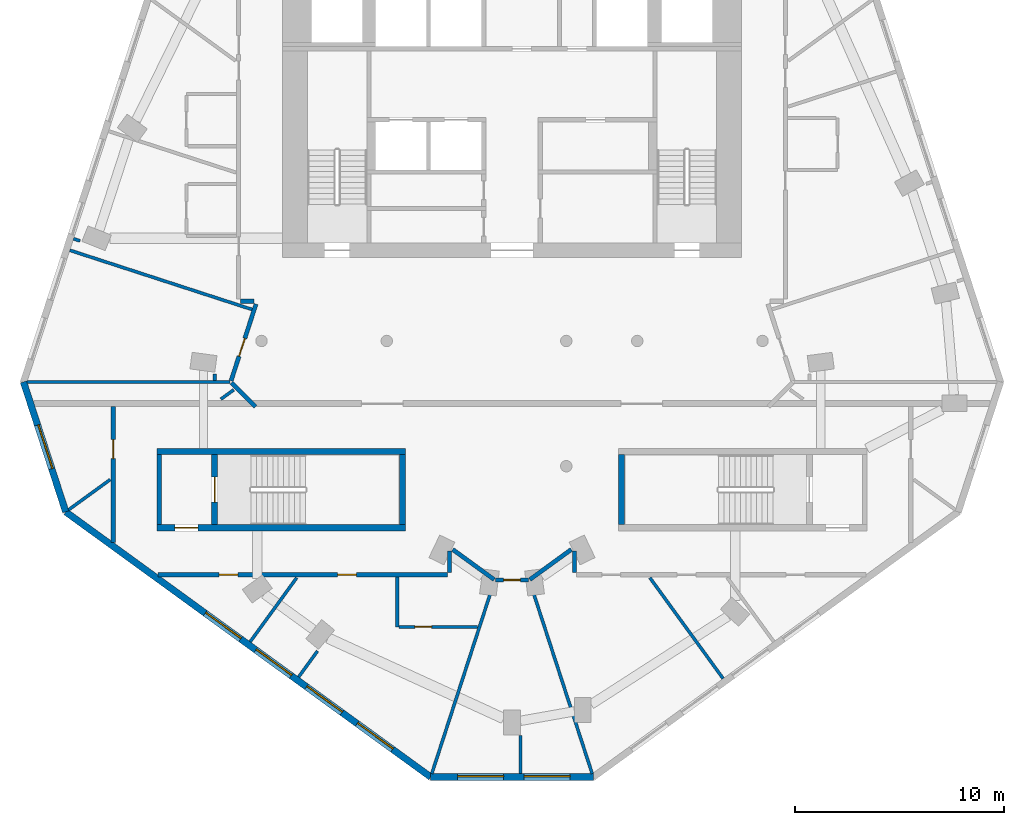
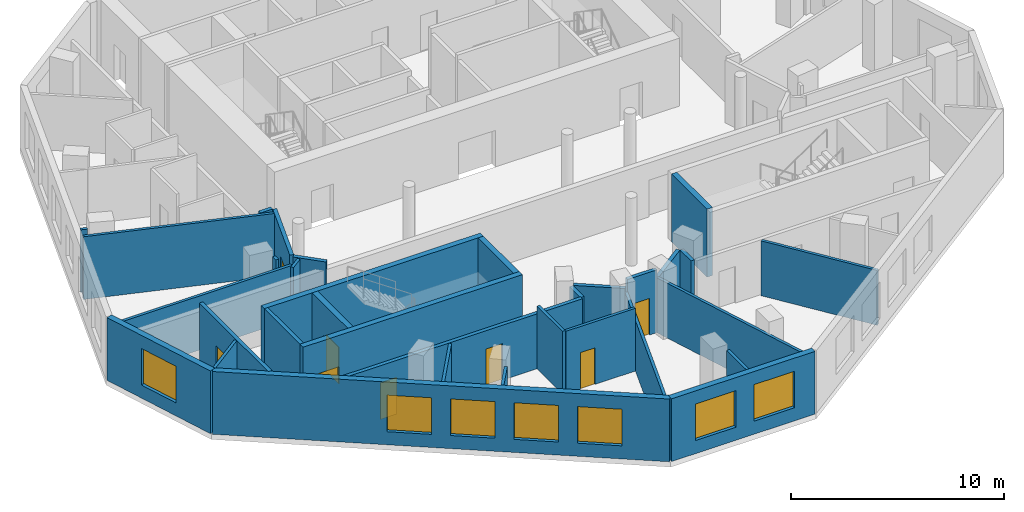
# One storey, part 2 of 8: 33 walls, 8 doors, 7 windows, 15 openings.
"""IFC4 building model written with IfcOpenShell, lengths in metres."""

from ifc_helpers import new_model, si_unit, direction, frame, frame_2d, origin, place, context, subcontext, project, spatial, rectangle, extrude, material, layer, layer_set, type_object, element, fill, save


model = new_model("IFC4")

# Units and contexts
model_context = context("Model", 3, precision=1e-05, world=origin(), true_north=direction((0.0, 1.0)))
body_context = subcontext(model_context, "Body", "Model", "MODEL_VIEW")
ifc_project = project(units=[si_unit("LENGTHUNIT", "METRE"), si_unit("AREAUNIT", "SQUARE_METRE"), si_unit("VOLUMEUNIT", "CUBIC_METRE"), si_unit("PLANEANGLEUNIT", "RADIAN"), si_unit("MASSUNIT", "GRAM", prefix="KILO")], contexts=[model_context])

# Site, building, storey
site_placement = place(None, origin())
site = spatial("IfcSite", under=ifc_project, at=site_placement, CompositionType="ELEMENT")
building_placement = place(site_placement, origin())
building = spatial("IfcBuilding", under=site, at=building_placement, Name="White Candle Pilgrim Tower", CompositionType="ELEMENT")
storey_placement = place(building_placement, frame((0.0, 0.0, 267.800048828125)))
storey = spatial("IfcBuildingStorey", under=building, at=storey_placement, Name="L63", CompositionType="ELEMENT", Elevation=267.800048828125)

# Wall
ifc_material_1 = material(Name="Concrete C50/60", Category="concrete")
ifc_layer_1 = layer(ifc_material_1, 0.199951171875)
ifc_layer_set_1 = layer_set([ifc_layer_1], Name="Core wall 200 mm Concrete C50/60")
wall_type_1 = type_object("IfcWallType", Name="Core wall 200 mm Concrete C50/60", PredefinedType="SHEAR", material=ifc_layer_set_1)
wall_1_placement = place(storey_placement, frame((53.10009765625, 58.199951171875, 0.0), z_axis=(0.0, 0.0, 1.0), x_axis=(0.0, 1.0, 0.0)))
element("IfcWall", 1, at=wall_1_placement, inside=storey, type_object=wall_type_1, Name="WL-L63-C03", PredefinedType="SHEAR", context=body_context, shape_type="SweptSolid", body=[
    extrude(rectangle(XDim=3.35009765625, YDim=0.199951171875, at=frame_2d((1.675048828125, 0.0))), origin(), (0.0, 0.0, 1.0), 3.89990234375),
])

# Wall, opening, door
ifc_material_2 = material(Name="Gypsum board on steel studs", Category="steel")
ifc_layer_2 = layer(ifc_material_2, 0.199951171875)
ifc_layer_set_2 = layer_set([ifc_layer_2], Name="Corridor wall 200 mm EI 45")
wall_type_2 = type_object("IfcWallType", Name="Corridor wall 200 mm EI 45", PredefinedType="PARTITIONING", material=ifc_layer_set_2)
wall_2_placement = place(storey_placement, frame((50.89990234375, 57.3544921875, 0.0), z_axis=(0.0, 0.0, 1.0), x_axis=(0.0, 1.0, 0.0)))
wall_2 = element("IfcWall", 2, at=wall_2_placement, inside=storey, type_object=wall_type_2, Name="WL-L63-P002", PredefinedType="PARTITIONING", context=body_context, shape_type="SweptSolid", body=[
    extrude(rectangle(XDim=6.49560546875, YDim=0.199951171875, at=frame_2d((3.247802734375, 0.0))), origin(), (0.0, 0.0, 1.0), 3.599853515625),
])
opening_1_placement = place(wall_2_placement, frame((4.0146484375, 0.0, 0.0)))
opening_1 = element("IfcOpeningElement", 3, at=opening_1_placement, cuts=wall_2, Name="Opening T19-113", PredefinedType="OPENING", context=body_context, shape_type="SweptSolid", body=[
    extrude(rectangle(XDim=0.89990234375, YDim=2.10009765625, at=frame_2d((0.449951171875, 1.050048828125))), frame((0.0, 0.10986328125, 0.0), z_axis=(0.0, -1.0, 0.0), x_axis=(1.0, 0.0, 0.0)), (0.0, 0.0, 1.0), 0.219970703125),
])
ifc_material_3 = material(Name="Steel door leaf", Category="steel")
door_type_1 = type_object("IfcDoorType", Name="Fire door 900 x 2100 EI 30", OperationType="NOTDEFINED", PredefinedType="DOOR", material=ifc_material_3)
door_1_placement = place(opening_1_placement, origin())
door_1 = element("IfcDoor", 4, at=door_1_placement, inside=storey, type_object=door_type_1, Name="Door T19-113", OperationType="SINGLE_SWING_LEFT", OverallHeight=2.10009765625, OverallWidth=0.89990234375, PredefinedType="DOOR", context=body_context, shape_type="SweptSolid", body=[
    extrude(rectangle(XDim=0.89990234375, YDim=2.10009765625, at=frame_2d((0.449951171875, 1.050048828125))), frame((0.0, 0.02490234375, 0.0), z_axis=(0.0, -1.0, 0.0), x_axis=(1.0, 0.0, 0.0)), (0.0, 0.0, 1.0), 0.050048828125),
])
fill(opening_1, door_1)

# Wall
wall_3_placement = place(storey_placement, frame((57.7099609375, 63.85009765625, 0.0), z_axis=(0.0, 0.0, 1.0), x_axis=(-0.70635124515, 0.707861510802, 0.0)))
element("IfcWall", 5, at=wall_3_placement, inside=storey, type_object=wall_type_2, Name="WL-L63-P003", PredefinedType="PARTITIONING", context=body_context, shape_type="SweptSolid", body=[
    extrude(rectangle(XDim=1.616455078125, YDim=0.199951171875, at=frame_2d((0.80810546875, 0.0))), origin(), (0.0, 0.0, 1.0), 3.599853515625),
])

# Wall, opening, door
wall_4_placement = place(storey_placement, frame((56.543701171875, 65.095947265625, 0.0), z_axis=(0.0, 0.0, 1.0), x_axis=(0.309050338142, 0.951045681602, 0.0)))
wall_4 = element("IfcWall", 6, at=wall_4_placement, inside=storey, type_object=wall_type_2, Name="WL-L63-P004", PredefinedType="PARTITIONING", context=body_context, shape_type="SweptSolid", body=[
    extrude(rectangle(XDim=3.862060546875, YDim=0.199951171875, at=frame_2d((1.93115234375, 0.0))), origin(), (0.0, 0.0, 1.0), 3.599853515625),
])
opening_2_placement = place(wall_4_placement, frame((1.231201171875, 0.0, 0.0)))
opening_2 = element("IfcOpeningElement", 7, at=opening_2_placement, cuts=wall_4, Name="Opening T19-114", PredefinedType="OPENING", context=body_context, shape_type="SweptSolid", body=[
    extrude(rectangle(XDim=0.89990234375, YDim=2.10009765625, at=frame_2d((0.449951171875, 1.050048828125))), frame((0.0, 0.10986328125, 0.0), z_axis=(0.0, -1.0, 0.0), x_axis=(1.0, 0.0, 0.0)), (0.0, 0.0, 1.0), 0.219970703125),
])
door_2_placement = place(opening_2_placement, origin())
door_2 = element("IfcDoor", 8, at=door_2_placement, inside=storey, type_object=door_type_1, Name="Door T19-114", OperationType="SINGLE_SWING_RIGHT", OverallHeight=2.10009765625, OverallWidth=0.89990234375, PredefinedType="DOOR", context=body_context, shape_type="SweptSolid", body=[
    extrude(rectangle(XDim=0.89990234375, YDim=2.10009765625, at=frame_2d((0.449951171875, 1.050048828125))), frame((0.0, 0.02490234375, 0.0), z_axis=(0.0, -1.0, 0.0), x_axis=(1.0, 0.0, 0.0)), (0.0, 0.0, 1.0), 0.050048828125),
])
fill(opening_2, door_2)

# Walls
wall_5_placement = place(storey_placement, frame((57.64208984375, 68.89990234375, 0.0), z_axis=(0.0, 0.0, 1.0), x_axis=(-1.0, 0.0, 0.0)))
element("IfcWall", 9, at=wall_5_placement, inside=storey, type_object=wall_type_2, Name="WL-L63-P005", PredefinedType="PARTITIONING", context=body_context, shape_type="SweptSolid", body=[
    extrude(rectangle(XDim=0.64208984375, YDim=0.199951171875, at=frame_2d((0.321044921875, 0.0))), origin(), (0.0, 0.0, 1.0), 3.599853515625),
])
wall_6_placement = place(storey_placement, frame((73.0, 55.89990234375, 0.0), z_axis=(0.0, 0.0, 1.0), x_axis=(0.0, 1.0, 0.0)))
element("IfcWall", 10, at=wall_6_placement, inside=storey, type_object=wall_type_2, Name="WL-L63-P013", PredefinedType="PARTITIONING", context=body_context, shape_type="SweptSolid", body=[
    extrude(rectangle(XDim=1.03173828125, YDim=0.199951171875, at=frame_2d((0.515869140625, 0.0))), origin(), (0.0, 0.0, 1.0), 3.099853515625),
])
wall_7_placement = place(storey_placement, frame((72.84130859375, 57.012451171875, 0.0), z_axis=(0.0, 0.0, 1.0), x_axis=(-0.809028134854, -0.587769918433, 0.0)))
element("IfcWall", 11, at=wall_7_placement, inside=storey, type_object=wall_type_2, Name="WL-L63-P014", PredefinedType="PARTITIONING", context=body_context, shape_type="SweptSolid", body=[
    extrude(rectangle(XDim=2.457275390625, YDim=0.199951171875, at=frame_2d((1.228515625, 0.0))), origin(), (0.0, 0.0, 1.0), 3.099853515625),
])

# Wall, opening, door
wall_8_placement = place(storey_placement, frame((70.79443359375, 55.549072265625, 0.0), z_axis=(0.0, 0.0, 1.0), x_axis=(-1.0, 0.0, 0.0)))
wall_8 = element("IfcWall", 12, at=wall_8_placement, inside=storey, type_object=wall_type_2, Name="WL-L63-P015", PredefinedType="PARTITIONING", context=body_context, shape_type="SweptSolid", body=[
    extrude(rectangle(XDim=1.5888671875, YDim=0.199951171875, at=frame_2d((0.79443359375, 0.0))), origin(), (0.0, 0.0, 1.0), 3.599853515625),
])
opening_3_placement = place(wall_8_placement, frame((0.394287109375, 0.0, 0.0)))
opening_3 = element("IfcOpeningElement", 13, at=opening_3_placement, cuts=wall_8, Name="Opening T19-106", PredefinedType="OPENING", context=body_context, shape_type="SweptSolid", body=[
    extrude(rectangle(XDim=0.800048828125, YDim=2.10009765625, at=frame_2d((0.39990234375, 1.050048828125))), frame((0.0, 0.10986328125, 0.0), z_axis=(0.0, -1.0, 0.0), x_axis=(1.0, 0.0, 0.0)), (0.0, 0.0, 1.0), 0.219970703125),
])
door_type_2 = type_object("IfcDoorType", Name="Fire door 800 x 2100 EI 30", OperationType="NOTDEFINED", PredefinedType="DOOR", material=ifc_material_3)
door_3_placement = place(opening_3_placement, origin())
door_3 = element("IfcDoor", 14, at=door_3_placement, inside=storey, type_object=door_type_2, Name="Door T19-106", OperationType="SINGLE_SWING_RIGHT", OverallHeight=2.10009765625, OverallWidth=0.800048828125, PredefinedType="DOOR", context=body_context, shape_type="SweptSolid", body=[
    extrude(rectangle(XDim=0.800048828125, YDim=2.10009765625, at=frame_2d((0.39990234375, 1.050048828125))), frame((0.0, 0.02490234375, 0.0), z_axis=(0.0, -1.0, 0.0), x_axis=(1.0, 0.0, 0.0)), (0.0, 0.0, 1.0), 0.050048828125),
])
fill(opening_3, door_3)

# Walls
wall_9_placement = place(storey_placement, frame((69.146728515625, 55.568115234375, 0.0), z_axis=(0.0, 0.0, 1.0), x_axis=(-0.809028134854, 0.587769918433, 0.0)))
element("IfcWall", 15, at=wall_9_placement, inside=storey, type_object=wall_type_2, Name="WL-L63-P016", PredefinedType="PARTITIONING", context=body_context, shape_type="SweptSolid", body=[
    extrude(rectangle(XDim=2.457275390625, YDim=0.199951171875, at=frame_2d((1.228515625, 0.0))), origin(), (0.0, 0.0, 1.0), 3.099853515625),
])
wall_10_placement = place(storey_placement, frame((67.0, 56.931640625, 0.0), z_axis=(0.0, 0.0, 1.0), x_axis=(0.0, -1.0, 0.0)))
element("IfcWall", 16, at=wall_10_placement, inside=storey, type_object=wall_type_2, Name="WL-L63-P017", PredefinedType="PARTITIONING", context=body_context, shape_type="SweptSolid", body=[
    extrude(rectangle(XDim=1.03173828125, YDim=0.199951171875, at=frame_2d((0.515869140625, 0.0))), origin(), (0.0, 0.0, 1.0), 3.099853515625),
])

# Wall, openings, doors
wall_11_placement = place(storey_placement, frame((66.89990234375, 55.800048828125, 0.0), z_axis=(0.0, 0.0, 1.0), x_axis=(-1.0, 0.0, 0.0)))
wall_11 = element("IfcWall", 17, at=wall_11_placement, inside=storey, type_object=wall_type_2, Name="WL-L63-P018", PredefinedType="PARTITIONING", context=body_context, shape_type="SweptSolid", body=[
    extrude(rectangle(XDim=13.8603515625, YDim=0.199951171875, at=frame_2d((6.93017578125, 0.0))), origin(), (0.0, 0.0, 1.0), 3.14990234375),
])
opening_4_placement = place(wall_11_placement, frame((10.03515625, 0.0, 0.0)))
opening_4 = element("IfcOpeningElement", 18, at=opening_4_placement, cuts=wall_11, Name="Opening T19-103", PredefinedType="OPENING", context=body_context, shape_type="SweptSolid", body=[
    extrude(rectangle(XDim=0.89990234375, YDim=2.10009765625, at=frame_2d((0.449951171875, 1.050048828125))), frame((0.0, 0.10986328125, 0.0), z_axis=(0.0, -1.0, 0.0), x_axis=(1.0, 0.0, 0.0)), (0.0, 0.0, 1.0), 0.219970703125),
])
opening_5_placement = place(wall_11_placement, frame((4.35498046875, 0.0, 0.0)))
opening_5 = element("IfcOpeningElement", 19, at=opening_5_placement, cuts=wall_11, Name="Opening T19-105", PredefinedType="OPENING", context=body_context, shape_type="SweptSolid", body=[
    extrude(rectangle(XDim=0.89990234375, YDim=2.10009765625, at=frame_2d((0.449951171875, 1.050048828125))), frame((0.0, 0.10986328125, 0.0), z_axis=(0.0, -1.0, 0.0), x_axis=(1.0, 0.0, 0.0)), (0.0, 0.0, 1.0), 0.219970703125),
])
door_4_placement = place(opening_4_placement, origin())
door_4 = element("IfcDoor", 20, at=door_4_placement, inside=storey, type_object=door_type_1, Name="Door T19-103", OperationType="SINGLE_SWING_LEFT", OverallHeight=2.10009765625, OverallWidth=0.89990234375, PredefinedType="DOOR", context=body_context, shape_type="SweptSolid", body=[
    extrude(rectangle(XDim=0.89990234375, YDim=2.10009765625, at=frame_2d((0.449951171875, 1.050048828125))), frame((0.0, 0.02490234375, 0.0), z_axis=(0.0, -1.0, 0.0), x_axis=(1.0, 0.0, 0.0)), (0.0, 0.0, 1.0), 0.050048828125),
])
fill(opening_4, door_4)
door_5_placement = place(opening_5_placement, origin())
door_5 = element("IfcDoor", 21, at=door_5_placement, inside=storey, type_object=door_type_1, Name="Door T19-105", OperationType="SINGLE_SWING_LEFT", OverallHeight=2.10009765625, OverallWidth=0.89990234375, PredefinedType="DOOR", context=body_context, shape_type="SweptSolid", body=[
    extrude(rectangle(XDim=0.89990234375, YDim=2.10009765625, at=frame_2d((0.449951171875, 1.050048828125))), frame((0.0, 0.02490234375, 0.0), z_axis=(0.0, -1.0, 0.0), x_axis=(1.0, 0.0, 0.0)), (0.0, 0.0, 1.0), 0.050048828125),
])
fill(opening_5, door_5)

# Wall, opening, window
ifc_material_4 = material(Name="Precast concrete C40/50", Category="concrete")
ifc_layer_3 = layer(ifc_material_4, 0.320068359375)
ifc_layer_set_3 = layer_set([ifc_layer_3], Name="Facade wall EW1 precast concrete C40/50 pier wall with timber-lined reveals")
wall_type_3 = type_object("IfcWallType", Name="Facade wall EW1 precast concrete C40/50 pier wall with timber-lined reveals", PredefinedType="SOLIDWALL", material=ifc_layer_set_3)
wall_12_placement = place(storey_placement, frame((46.59912109375, 65.03759765625, 0.0), z_axis=(0.0, 0.0, 1.0), x_axis=(0.309024511065, -0.951054073942, 0.0)))
wall_12 = element("IfcWall", 22, at=wall_12_placement, inside=storey, type_object=wall_type_3, Name="Facade wall L63 W chamfer", PredefinedType="SOLIDWALL", context=body_context, shape_type="SweptSolid", body=[
    extrude(rectangle(XDim=6.546142578125, YDim=0.320068359375, at=frame_2d((3.27294921875, 0.0))), origin(), (0.0, 0.0, 1.0), 3.599853515625),
])
opening_6_placement = place(wall_12_placement, frame((2.173095703125, 0.0, 0.75)))
opening_6 = element("IfcOpeningElement", 23, at=opening_6_placement, cuts=wall_12, Name="Opening W4", PredefinedType="OPENING", context=body_context, shape_type="SweptSolid", body=[
    extrude(rectangle(XDim=2.199951171875, YDim=2.10009765625, at=frame_2d((1.10009765625, 1.050048828125))), frame((0.0, 0.169921875, 0.0), z_axis=(0.0, -1.0, 0.0), x_axis=(1.0, 0.0, 0.0)), (0.0, 0.0, 1.0), 0.340087890625),
])
ifc_material_5 = material(Name="Timber frame with triple glazing", Category="wood")
window_type_1 = type_object("IfcWindowType", Name="Window W4 2200x2100 timber frame triple glazing", PartitioningType="SINGLE_PANEL", PredefinedType="WINDOW", material=ifc_material_5)
window_1_placement = place(opening_6_placement, origin())
window_1 = element("IfcWindow", 24, at=window_1_placement, inside=storey, type_object=window_type_1, Name="Window W4 L63 W chamfer 1", OverallHeight=2.10009765625, OverallWidth=2.199951171875, PartitioningType="SINGLE_PANEL", PredefinedType="WINDOW", context=body_context, shape_type="SweptSolid", body=[
    extrude(rectangle(XDim=2.199951171875, YDim=2.10009765625, at=frame_2d((1.10009765625, 1.050048828125))), frame((0.0, 0.070068359375, 0.0), z_axis=(0.0, -1.0, 0.0), x_axis=(1.0, 0.0, 0.0)), (0.0, 0.0, 1.0), 0.06005859375),
])
fill(opening_6, window_1)

# Wall, openings, windows
wall_13_placement = place(storey_placement, frame((48.6220703125, 58.811767578125, 0.0), z_axis=(0.0, 0.0, 1.0), x_axis=(0.809016403759, -0.587786065205, 0.0)))
wall_13 = element("IfcWall", 25, at=wall_13_placement, inside=storey, type_object=wall_type_3, Name="Facade wall L63 SW", PredefinedType="SOLIDWALL", context=body_context, shape_type="SweptSolid", body=[
    extrude(rectangle(XDim=21.611083984375, YDim=0.320068359375, at=frame_2d((10.8056640625, 0.0))), origin(), (0.0, 0.0, 1.0), 3.599853515625),
])
opening_7_placement = place(wall_13_placement, frame((8.255615234375, 0.0, 0.75)))
opening_7 = element("IfcOpeningElement", 26, at=opening_7_placement, cuts=wall_13, Name="Opening W3", PredefinedType="OPENING", context=body_context, shape_type="SweptSolid", body=[
    extrude(rectangle(XDim=2.10009765625, YDim=2.10009765625, at=frame_2d((1.050048828125, 1.050048828125))), frame((0.0, 0.169921875, 0.0), z_axis=(0.0, -1.0, 0.0), x_axis=(1.0, 0.0, 0.0)), (0.0, 0.0, 1.0), 0.340087890625),
])
opening_8_placement = place(wall_13_placement, frame((11.255615234375, 0.0, 0.75)))
opening_8 = element("IfcOpeningElement", 27, at=opening_8_placement, cuts=wall_13, Name="Opening W3", PredefinedType="OPENING", context=body_context, shape_type="SweptSolid", body=[
    extrude(rectangle(XDim=2.10009765625, YDim=2.10009765625, at=frame_2d((1.050048828125, 1.050048828125))), frame((0.0, 0.169921875, 0.0), z_axis=(0.0, -1.0, 0.0), x_axis=(1.0, 0.0, 0.0)), (0.0, 0.0, 1.0), 0.340087890625),
])
opening_9_placement = place(wall_13_placement, frame((14.255615234375, 0.0, 0.75)))
opening_9 = element("IfcOpeningElement", 28, at=opening_9_placement, cuts=wall_13, Name="Opening W3", PredefinedType="OPENING", context=body_context, shape_type="SweptSolid", body=[
    extrude(rectangle(XDim=2.10009765625, YDim=2.10009765625, at=frame_2d((1.050048828125, 1.050048828125))), frame((0.0, 0.169921875, 0.0), z_axis=(0.0, -1.0, 0.0), x_axis=(1.0, 0.0, 0.0)), (0.0, 0.0, 1.0), 0.340087890625),
])
opening_10_placement = place(wall_13_placement, frame((17.255615234375, 0.0, 0.75)))
opening_10 = element("IfcOpeningElement", 29, at=opening_10_placement, cuts=wall_13, Name="Opening W3", PredefinedType="OPENING", context=body_context, shape_type="SweptSolid", body=[
    extrude(rectangle(XDim=2.10009765625, YDim=2.10009765625, at=frame_2d((1.050048828125, 1.050048828125))), frame((0.0, 0.169921875, 0.0), z_axis=(0.0, -1.0, 0.0), x_axis=(1.0, 0.0, 0.0)), (0.0, 0.0, 1.0), 0.340087890625),
])
window_type_2 = type_object("IfcWindowType", Name="Window W3 2100x2100 timber frame triple glazing", PartitioningType="SINGLE_PANEL", PredefinedType="WINDOW", material=ifc_material_5)
window_2_placement = place(opening_7_placement, origin())
window_2 = element("IfcWindow", 30, at=window_2_placement, inside=storey, type_object=window_type_2, Name="Window W3 L63 SW 3", OverallHeight=2.10009765625, OverallWidth=2.10009765625, PartitioningType="SINGLE_PANEL", PredefinedType="WINDOW", context=body_context, shape_type="SweptSolid", body=[
    extrude(rectangle(XDim=2.10009765625, YDim=2.10009765625, at=frame_2d((1.050048828125, 1.050048828125))), frame((0.0, 0.070068359375, 0.0), z_axis=(0.0, -1.0, 0.0), x_axis=(1.0, 0.0, 0.0)), (0.0, 0.0, 1.0), 0.06005859375),
])
fill(opening_7, window_2)
window_3_placement = place(opening_8_placement, origin())
window_3 = element("IfcWindow", 31, at=window_3_placement, inside=storey, type_object=window_type_2, Name="Window W3 L63 SW 4", OverallHeight=2.10009765625, OverallWidth=2.10009765625, PartitioningType="SINGLE_PANEL", PredefinedType="WINDOW", context=body_context, shape_type="SweptSolid", body=[
    extrude(rectangle(XDim=2.10009765625, YDim=2.10009765625, at=frame_2d((1.050048828125, 1.050048828125))), frame((0.0, 0.070068359375, 0.0), z_axis=(0.0, -1.0, 0.0), x_axis=(1.0, 0.0, 0.0)), (0.0, 0.0, 1.0), 0.06005859375),
])
fill(opening_8, window_3)
window_4_placement = place(opening_9_placement, origin())
window_4 = element("IfcWindow", 32, at=window_4_placement, inside=storey, type_object=window_type_2, Name="Window W3 L63 SW 5", OverallHeight=2.10009765625, OverallWidth=2.10009765625, PartitioningType="SINGLE_PANEL", PredefinedType="WINDOW", context=body_context, shape_type="SweptSolid", body=[
    extrude(rectangle(XDim=2.10009765625, YDim=2.10009765625, at=frame_2d((1.050048828125, 1.050048828125))), frame((0.0, 0.070068359375, 0.0), z_axis=(0.0, -1.0, 0.0), x_axis=(1.0, 0.0, 0.0)), (0.0, 0.0, 1.0), 0.06005859375),
])
fill(opening_9, window_4)
window_5_placement = place(opening_10_placement, origin())
window_5 = element("IfcWindow", 33, at=window_5_placement, inside=storey, type_object=window_type_2, Name="Window W3 L63 SW 6", OverallHeight=2.10009765625, OverallWidth=2.10009765625, PartitioningType="SINGLE_PANEL", PredefinedType="WINDOW", context=body_context, shape_type="SweptSolid", body=[
    extrude(rectangle(XDim=2.10009765625, YDim=2.10009765625, at=frame_2d((1.050048828125, 1.050048828125))), frame((0.0, 0.070068359375, 0.0), z_axis=(0.0, -1.0, 0.0), x_axis=(1.0, 0.0, 0.0)), (0.0, 0.0, 1.0), 0.06005859375),
])
fill(opening_10, window_5)

wall_14_placement = place(storey_placement, frame((66.105712890625, 46.109130859375, 0.0), z_axis=(0.0, 0.0, 1.0), x_axis=(1.0, 0.0, 0.0)))
wall_14 = element("IfcWall", 34, at=wall_14_placement, inside=storey, type_object=wall_type_3, Name="Facade wall L63 S chamfer", PredefinedType="SOLIDWALL", context=body_context, shape_type="SweptSolid", body=[
    extrude(rectangle(XDim=7.78857421875, YDim=0.320068359375, at=frame_2d((3.894287109375, 0.0))), origin(), (0.0, 0.0, 1.0), 3.599853515625),
])
opening_11_placement = place(wall_14_placement, frame((1.294189453125, 0.0, 0.75)))
opening_11 = element("IfcOpeningElement", 35, at=opening_11_placement, cuts=wall_14, Name="Opening W4", PredefinedType="OPENING", context=body_context, shape_type="SweptSolid", body=[
    extrude(rectangle(XDim=2.199951171875, YDim=2.10009765625, at=frame_2d((1.10009765625, 1.050048828125))), frame((0.0, 0.169921875, 0.0), z_axis=(0.0, -1.0, 0.0), x_axis=(1.0, 0.0, 0.0)), (0.0, 0.0, 1.0), 0.340087890625),
])
opening_12_placement = place(wall_14_placement, frame((4.479248046875, 0.0, 0.75)))
opening_12 = element("IfcOpeningElement", 36, at=opening_12_placement, cuts=wall_14, Name="Opening W4", PredefinedType="OPENING", context=body_context, shape_type="SweptSolid", body=[
    extrude(rectangle(XDim=2.199951171875, YDim=2.10009765625, at=frame_2d((1.10009765625, 1.050048828125))), frame((0.0, 0.169921875, 0.0), z_axis=(0.0, -1.0, 0.0), x_axis=(1.0, 0.0, 0.0)), (0.0, 0.0, 1.0), 0.340087890625),
])
window_6_placement = place(opening_11_placement, origin())
window_6 = element("IfcWindow", 37, at=window_6_placement, inside=storey, type_object=window_type_1, Name="Window W4 L63 S chamfer 1", OverallHeight=2.10009765625, OverallWidth=2.199951171875, PartitioningType="SINGLE_PANEL", PredefinedType="WINDOW", context=body_context, shape_type="SweptSolid", body=[
    extrude(rectangle(XDim=2.199951171875, YDim=2.10009765625, at=frame_2d((1.10009765625, 1.050048828125))), frame((0.0, 0.070068359375, 0.0), z_axis=(0.0, -1.0, 0.0), x_axis=(1.0, 0.0, 0.0)), (0.0, 0.0, 1.0), 0.06005859375),
])
fill(opening_11, window_6)
window_7_placement = place(opening_12_placement, origin())
window_7 = element("IfcWindow", 38, at=window_7_placement, inside=storey, type_object=window_type_1, Name="Window W4 L63 S chamfer 2", OverallHeight=2.10009765625, OverallWidth=2.199951171875, PartitioningType="SINGLE_PANEL", PredefinedType="WINDOW", context=body_context, shape_type="SweptSolid", body=[
    extrude(rectangle(XDim=2.199951171875, YDim=2.10009765625, at=frame_2d((1.10009765625, 1.050048828125))), frame((0.0, 0.070068359375, 0.0), z_axis=(0.0, -1.0, 0.0), x_axis=(1.0, 0.0, 0.0)), (0.0, 0.0, 1.0), 0.06005859375),
])
fill(opening_12, window_7)

# Walls
ifc_layer_4 = layer(ifc_material_2, 0.14990234375)
ifc_layer_set_4 = layer_set([ifc_layer_4], Name="Partition 150 mm EI 60")
wall_type_4 = type_object("IfcWallType", Name="Partition 150 mm EI 60", PredefinedType="PARTITIONING", material=ifc_layer_set_4)
wall_15_placement = place(storey_placement, frame((46.767333984375, 65.03759765625, 0.0), z_axis=(0.0, 0.0, 1.0), x_axis=(1.0, 0.0, 0.0)))
element("IfcWall", 39, at=wall_15_placement, inside=storey, type_object=wall_type_4, Name="WL-L63-P020", PredefinedType="PARTITIONING", context=body_context, shape_type="SweptSolid", body=[
    extrude(rectangle(XDim=9.724853515625, YDim=0.14990234375, at=frame_2d((4.8623046875, 0.0))), origin(), (0.0, 0.0, 1.0), 3.099853515625),
])
wall_16_placement = place(storey_placement, frame((48.758056640625, 58.91064453125, 0.0), z_axis=(0.0, 0.0, 1.0), x_axis=(0.808983967864, 0.587830706699, 0.0)))
element("IfcWall", 40, at=wall_16_placement, inside=storey, type_object=wall_type_4, Name="WL-L63-P021", PredefinedType="PARTITIONING", context=body_context, shape_type="SweptSolid", body=[
    extrude(rectangle(XDim=2.469482421875, YDim=0.14990234375, at=frame_2d((1.23486328125, 0.0))), origin(), (0.0, 0.0, 1.0), 3.599853515625),
])
wall_17_placement = place(storey_placement, frame((56.052978515625, 64.210693359375, 0.0), z_axis=(0.0, 0.0, 1.0), x_axis=(0.808985495234, 0.587828604698, 0.0)))
element("IfcWall", 41, at=wall_17_placement, inside=storey, type_object=wall_type_4, Name="WL-L63-P022", PredefinedType="PARTITIONING", context=body_context, shape_type="SweptSolid", body=[
    extrude(rectangle(XDim=0.76171875, YDim=0.14990234375, at=frame_2d((0.380859375, 0.0))), origin(), (0.0, 0.0, 1.0), 3.599853515625),
])
wall_18_placement = place(storey_placement, frame((66.15771484375, 46.26904296875, 0.0), z_axis=(0.0, 0.0, 1.0), x_axis=(0.309017584441, 0.951056324571, 0.0)))
element("IfcWall", 42, at=wall_18_placement, inside=storey, type_object=wall_type_4, Name="WL-L63-P023", PredefinedType="PARTITIONING", context=body_context, shape_type="SweptSolid", body=[
    extrude(rectangle(XDim=9.672607421875, YDim=0.14990234375, at=frame_2d((4.83642578125, 0.0))), origin(), (0.0, 0.0, 1.0), 2.89990234375),
])
wall_19_placement = place(storey_placement, frame((73.84228515625, 46.26904296875, 0.0), z_axis=(0.0, 0.0, 1.0), x_axis=(-0.309017584441, 0.951056324571, 0.0)))
element("IfcWall", 43, at=wall_19_placement, inside=storey, type_object=wall_type_4, Name="WL-L63-P024", PredefinedType="PARTITIONING", context=body_context, shape_type="SweptSolid", body=[
    extrude(rectangle(XDim=9.672607421875, YDim=0.14990234375, at=frame_2d((4.83642578125, 0.0))), origin(), (0.0, 0.0, 1.0), 3.14990234375),
])
wall_20_placement = place(storey_placement, frame((48.81689453125, 71.345458984375, 0.0), z_axis=(0.0, 0.0, 1.0), x_axis=(0.951060058909, -0.309006091118, 0.0)))
element("IfcWall", 44, at=wall_20_placement, inside=storey, type_object=wall_type_4, Name="WL-L63-P030", PredefinedType="PARTITIONING", context=body_context, shape_type="SweptSolid", body=[
    extrude(rectangle(XDim=9.179931640625, YDim=0.14990234375, at=frame_2d((4.58984375, 0.0))), origin(), (0.0, 0.0, 1.0), 3.599853515625),
])
wall_21_placement = place(storey_placement, frame((57.4580078125, 52.58984375, 0.0), z_axis=(0.0, 0.0, 1.0), x_axis=(0.587757946998, 0.809036832129, 0.0)))
element("IfcWall", 45, at=wall_21_placement, inside=storey, type_object=wall_type_4, Name="WL-L63-P037", PredefinedType="PARTITIONING", context=body_context, shape_type="SweptSolid", body=[
    extrude(rectangle(XDim=3.789794921875, YDim=0.14990234375, at=frame_2d((1.89501953125, 0.0))), origin(), (0.0, 0.0, 1.0), 3.14990234375),
])
wall_22_placement = place(storey_placement, frame((64.5, 55.699951171875, 0.0), z_axis=(0.0, 0.0, 1.0), x_axis=(0.0, -1.0, 0.0)))
element("IfcWall", 46, at=wall_22_placement, inside=storey, type_object=wall_type_4, Name="WL-L63-P038", PredefinedType="PARTITIONING", context=body_context, shape_type="SweptSolid", body=[
    extrude(rectangle(XDim=2.39990234375, YDim=0.14990234375, at=frame_2d((1.199951171875, 0.0))), origin(), (0.0, 0.0, 1.0), 3.599853515625),
])

# Wall, opening, door
wall_23_placement = place(storey_placement, frame((68.339111328125, 53.300048828125, 0.0), z_axis=(0.0, 0.0, 1.0), x_axis=(-1.0, 0.0, 0.0)))
wall_23 = element("IfcWall", 47, at=wall_23_placement, inside=storey, type_object=wall_type_4, Name="WL-L63-P039", PredefinedType="PARTITIONING", context=body_context, shape_type="SweptSolid", body=[
    extrude(rectangle(XDim=3.76416015625, YDim=0.14990234375, at=frame_2d((1.882080078125, 0.0))), origin(), (0.0, 0.0, 1.0), 3.599853515625),
])
opening_13_placement = place(wall_23_placement, frame((2.189208984375, 0.0, 0.0)))
opening_13 = element("IfcOpeningElement", 48, at=opening_13_placement, cuts=wall_23, Name="Opening T19-104", PredefinedType="OPENING", context=body_context, shape_type="SweptSolid", body=[
    extrude(rectangle(XDim=0.800048828125, YDim=2.10009765625, at=frame_2d((0.39990234375, 1.050048828125))), frame((0.0, 0.0849609375, 0.0), z_axis=(0.0, -1.0, 0.0), x_axis=(1.0, 0.0, 0.0)), (0.0, 0.0, 1.0), 0.169921875),
])
door_6_placement = place(opening_13_placement, origin())
door_6 = element("IfcDoor", 49, at=door_6_placement, inside=storey, type_object=door_type_2, Name="Door T19-104", OperationType="SINGLE_SWING_RIGHT", OverallHeight=2.10009765625, OverallWidth=0.800048828125, PredefinedType="DOOR", context=body_context, shape_type="SweptSolid", body=[
    extrude(rectangle(XDim=0.800048828125, YDim=2.10009765625, at=frame_2d((0.39990234375, 1.050048828125))), frame((0.0, 0.02490234375, 0.0), z_axis=(0.0, -1.0, 0.0), x_axis=(1.0, 0.0, 0.0)), (0.0, 0.0, 1.0), 0.050048828125),
])
fill(opening_13, door_6)

# Walls
wall_24_placement = place(storey_placement, frame((80.114990234375, 50.826416015625, 0.0), z_axis=(0.0, 0.0, 1.0), x_axis=(-0.587772824374, 0.809026023641, 0.0)))
element("IfcWall", 50, at=wall_24_placement, inside=storey, type_object=wall_type_4, Name="WL-L63-P040", PredefinedType="PARTITIONING", context=body_context, shape_type="SweptSolid", body=[
    extrude(rectangle(XDim=5.9697265625, YDim=0.14990234375, at=frame_2d((2.98486328125, 0.0))), origin(), (0.0, 0.0, 1.0), 3.14990234375),
])
wall_25_placement = place(storey_placement, frame((60.683349609375, 52.148681640625, 0.0), z_axis=(0.0, 0.0, 1.0), x_axis=(-0.587822598437, -0.808989859496, 0.0)))
element("IfcWall", 51, at=wall_25_placement, inside=storey, type_object=wall_type_4, Name="WL-L63-P047", PredefinedType="PARTITIONING", context=body_context, shape_type="SweptSolid", body=[
    extrude(rectangle(XDim=1.538818359375, YDim=0.14990234375, at=frame_2d((0.76953125, 0.0))), origin(), (0.0, 0.0, 1.0), 3.599853515625),
])
wall_26_placement = place(storey_placement, frame((70.409912109375, 48.10009765625, 0.0), z_axis=(0.0, 0.0, 1.0), x_axis=(0.0, -1.0, 0.0)))
element("IfcWall", 52, at=wall_26_placement, inside=storey, type_object=wall_type_4, Name="WL-L63-P048", PredefinedType="PARTITIONING", context=body_context, shape_type="SweptSolid", body=[
    extrude(rectangle(XDim=1.8310546875, YDim=0.14990234375, at=frame_2d((0.91552734375, 0.0))), origin(), (0.0, 0.0, 1.0), 3.599853515625),
])
wall_27_placement = place(storey_placement, frame((49.308349609375, 71.7958984375, 0.0), z_axis=(0.0, 0.0, 1.0), x_axis=(-0.951181521539, 0.308632002688, 0.0)))
element("IfcWall", 53, at=wall_27_placement, inside=storey, type_object=wall_type_4, Name="WL-L63-P051", PredefinedType="PARTITIONING", context=body_context, shape_type="SweptSolid", body=[
    extrude(rectangle(XDim=0.328369140625, YDim=0.14990234375, at=frame_2d((0.1640625, 0.0))), origin(), (0.0, 0.0, 1.0), 3.599853515625),
])
wall_28_placement = place(storey_placement, frame((55.75927734375, 65.4140625, 0.0), z_axis=(0.0, 0.0, 1.0), x_axis=(0.0, -1.0, 0.0)))
element("IfcWall", 54, at=wall_28_placement, inside=storey, type_object=wall_type_4, Name="WL-L63-P053", PredefinedType="PARTITIONING", context=body_context, shape_type="SweptSolid", body=[
    extrude(rectangle(XDim=0.30126953125, YDim=0.14990234375, at=frame_2d((0.150634765625, 0.0))), origin(), (0.0, 0.0, 1.0), 3.599853515625),
])

# Wall, opening, door
ifc_layer_5 = layer(ifc_material_1, 0.300048828125)
ifc_layer_set_5 = layer_set([ifc_layer_5], Name="Stair shaft wall 300 mm Concrete C50/60")
wall_type_5 = type_object("IfcWallType", Name="Stair shaft wall 300 mm Concrete C50/60", PredefinedType="SHEAR", material=ifc_layer_set_5)
wall_29_placement = place(storey_placement, frame((53.0, 58.050048828125, 0.0), z_axis=(0.0, 0.0, 1.0), x_axis=(1.0, 0.0, 0.0)))
wall_29 = element("IfcWall", 55, at=wall_29_placement, inside=storey, type_object=wall_type_5, Name="WL-L63-C01", PredefinedType="SHEAR", context=body_context, shape_type="SweptSolid", body=[
    extrude(rectangle(XDim=11.89990234375, YDim=0.300048828125, at=frame_2d((5.949951171875, 0.0))), origin(), (0.0, 0.0, 1.0), 3.89990234375),
])
opening_14_placement = place(wall_29_placement, frame((0.85009765625, 0.0, 0.0)))
opening_14 = element("IfcOpeningElement", 56, at=opening_14_placement, cuts=wall_29, Name="Opening T19-010", PredefinedType="OPENING", context=body_context, shape_type="SweptSolid", body=[
    extrude(rectangle(XDim=1.10009765625, YDim=2.10009765625, at=frame_2d((0.550048828125, 1.050048828125))), frame((0.0, 0.159912109375, 0.0), z_axis=(0.0, -1.0, 0.0), x_axis=(1.0, 0.0, 0.0)), (0.0, 0.0, 1.0), 0.320068359375),
])
door_type_3 = type_object("IfcDoorType", Name="Fire door 1100 x 2100 EI 60", OperationType="NOTDEFINED", PredefinedType="DOOR", material=ifc_material_3)
door_7_placement = place(opening_14_placement, origin())
door_7 = element("IfcDoor", 57, at=door_7_placement, inside=storey, type_object=door_type_3, Name="Door T19-010", OperationType="SINGLE_SWING_RIGHT", OverallHeight=2.10009765625, OverallWidth=1.10009765625, PredefinedType="DOOR", context=body_context, shape_type="SweptSolid", body=[
    extrude(rectangle(XDim=1.10009765625, YDim=2.10009765625, at=frame_2d((0.550048828125, 1.050048828125))), frame((0.0, 0.02490234375, 0.0), z_axis=(0.0, -1.0, 0.0), x_axis=(1.0, 0.0, 0.0)), (0.0, 0.0, 1.0), 0.050048828125),
])
fill(opening_14, door_7)

wall_30_placement = place(storey_placement, frame((55.75, 58.199951171875, 0.0), z_axis=(0.0, 0.0, 1.0), x_axis=(0.0, 1.0, 0.0)))
wall_30 = element("IfcWall", 58, at=wall_30_placement, inside=storey, type_object=wall_type_5, Name="WL-L63-C04", PredefinedType="SHEAR", context=body_context, shape_type="SweptSolid", body=[
    extrude(rectangle(XDim=3.35009765625, YDim=0.300048828125, at=frame_2d((1.675048828125, 0.0))), origin(), (0.0, 0.0, 1.0), 3.89990234375),
])
opening_15_placement = place(wall_30_placement, frame((1.074951171875, 0.0, 0.0)))
opening_15 = element("IfcOpeningElement", 59, at=opening_15_placement, cuts=wall_30, Name="Opening T19-011", PredefinedType="OPENING", context=body_context, shape_type="SweptSolid", body=[
    extrude(rectangle(XDim=1.199951171875, YDim=2.10009765625, at=frame_2d((0.60009765625, 1.050048828125))), frame((0.0, 0.159912109375, 0.0), z_axis=(0.0, -1.0, 0.0), x_axis=(1.0, 0.0, 0.0)), (0.0, 0.0, 1.0), 0.320068359375),
])
door_type_4 = type_object("IfcDoorType", Name="Fire door 1200 x 2100 EI 60", OperationType="NOTDEFINED", PredefinedType="DOOR", material=ifc_material_3)
door_8_placement = place(opening_15_placement, frame((1.199951171875, 0.0, 0.0), z_axis=(0.0, 0.0, 1.0), x_axis=(-1.0, 0.0, 0.0)))
door_8 = element("IfcDoor", 60, at=door_8_placement, inside=storey, type_object=door_type_4, Name="Door T19-011", OperationType="SINGLE_SWING_RIGHT", OverallHeight=2.10009765625, OverallWidth=1.199951171875, PredefinedType="DOOR", context=body_context, shape_type="SweptSolid", body=[
    extrude(rectangle(XDim=1.199951171875, YDim=2.10009765625, at=frame_2d((0.60009765625, 1.050048828125))), frame((0.0, 0.02490234375, 0.0), z_axis=(0.0, -1.0, 0.0), x_axis=(1.0, 0.0, 0.0)), (0.0, 0.0, 1.0), 0.050048828125),
])
fill(opening_15, door_8)

# Walls
for number, where, z_axis, x_axis, name in (
    (61, (64.75, 58.199951171875, 0.0), (0.0, 0.0, 1.0), (0.0, 1.0, 0.0), "WL-L63-C05"),
    (62, (75.25, 58.199951171875, 0.0), (0.0, 0.0, 1.0), (0.0, 1.0, 0.0), "WL-L63-C06"),
):
    element("IfcWall", number, at=place(storey_placement, frame(where, z_axis=z_axis, x_axis=x_axis)), inside=storey, type_object=wall_type_5, Name=name, PredefinedType="SHEAR", context=body_context, shape_type="SweptSolid", body=[
        extrude(rectangle(XDim=3.35009765625, YDim=0.300048828125, at=frame_2d((1.675048828125, 0.0))), origin(), (0.0, 0.0, 1.0), 3.89990234375),
    ])
wall_31_placement = place(storey_placement, frame((53.0, 61.699951171875, 0.0), z_axis=(0.0, 0.0, 1.0), x_axis=(1.0, 0.0, 0.0)))
element("IfcWall", 63, at=wall_31_placement, inside=storey, type_object=wall_type_5, Name="WL-L63-C09", PredefinedType="SHEAR", context=body_context, shape_type="SweptSolid", body=[
    extrude(rectangle(XDim=11.89990234375, YDim=0.300048828125, at=frame_2d((5.949951171875, 0.0))), origin(), (0.0, 0.0, 1.0), 3.89990234375),
])

save(model, "model.ifc")
